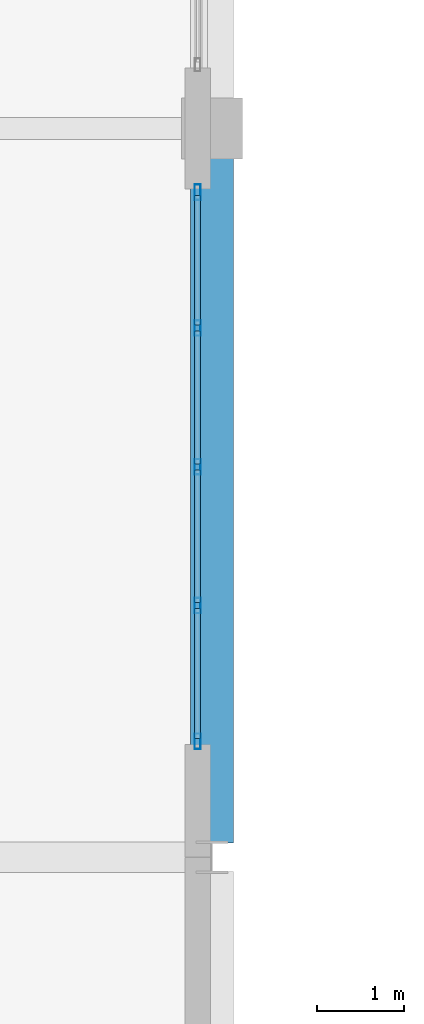
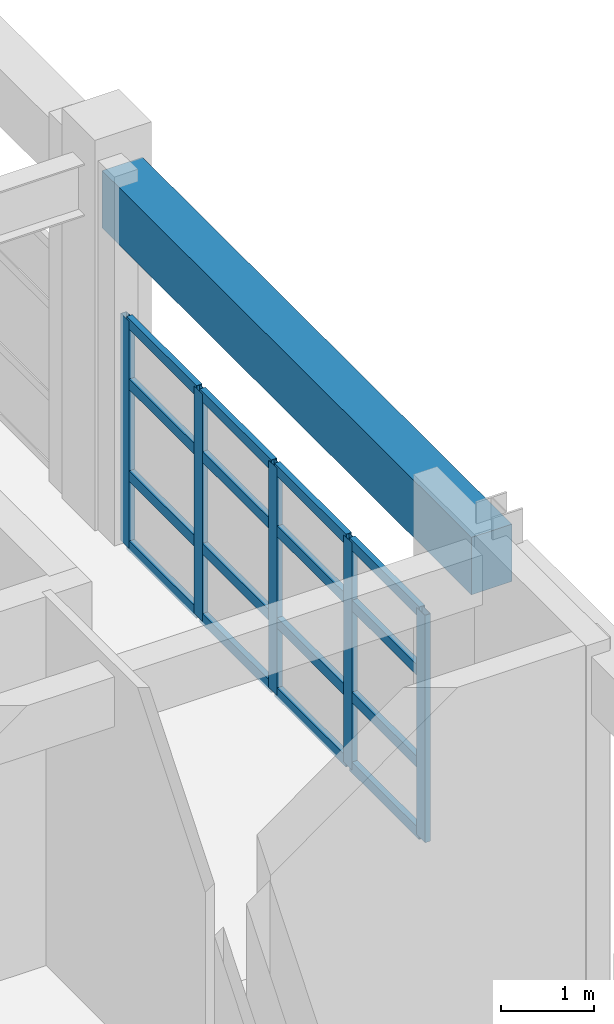
# One storey, part 19 of 103: 21 members, 1 beam, 1 element without a shape of its own.
"""IFC4 building model written with IfcOpenShell, lengths in metres."""

import ifcopenshell
import ifcopenshell.guid

model = None  # the IFC model being written
_history = None  # IfcOwnerHistory: only IFC2X3 demands one
_inside = {}  # id of a spatial element -> (the spatial element, [elements in it])
_under = {}  # id of a project, library or spatial element -> (it, [spatial elements below it])
_declared = {}  # id of a project -> (the project, [libraries it declares])
_typed = {}  # id of a type object -> (the type object, [elements of that type])
_made_of = {}  # id of a material, layer set ... -> (it, [elements and type objects made of it])


def new_model(schema):
    """Start an empty IFC model of exactly this schema.

    Asked for "IFC4X3", IfcOpenShell would pick the latest addendum, in which some entities
    have other attributes; the version numbers below select the first issue.
    IFC2X3 requires an IfcOwnerHistory on every rooted entity: one is made here for all.
    """
    global model, _history
    if schema == "IFC4X3":
        model = ifcopenshell.file(schema_version=(4, 3, 0, 0))
    else:
        model = ifcopenshell.file(schema=schema)
    _inside.clear()
    _under.clear()
    _declared.clear()
    _typed.clear()
    _made_of.clear()
    _history = None
    if model.schema == "IFC2X3":
        org = make("IfcOrganization", Name="unknown")
        user = make(
            "IfcPersonAndOrganization",
            ThePerson=make("IfcPerson", FamilyName="unknown"),
            TheOrganization=org,
        )
        app = make(
            "IfcApplication",
            ApplicationDeveloper=org,
            Version="unknown",
            ApplicationFullName="unknown",
            ApplicationIdentifier="unknown",
        )
        _history = make(
            "IfcOwnerHistory",
            OwningUser=user,
            OwningApplication=app,
            ChangeAction="ADDED",
            CreationDate=0,
        )
    return model


def make(cls, **values):
    """One entity of the class cls with the attributes given. An attribute that is None is left unset."""
    return model.create_entity(
        cls, **{name: value for name, value in values.items() if value is not None}
    )


def rooted(cls, **values):
    """An entity with a GlobalId (a new one), such as an element, a storey or a relation."""
    return make(cls, GlobalId=ifcopenshell.guid.new(), OwnerHistory=_history, **values)


def si_unit(unit_type, name, prefix=None):
    """IfcSIUnit, for example si_unit("LENGTHUNIT", "METRE", prefix="MILLI")."""
    return make("IfcSIUnit", UnitType=unit_type, Prefix=prefix, Name=name)


def assignment(units):
    """IfcUnitAssignment: the units of a project."""
    return None if units is None else make("IfcUnitAssignment", Units=units)


def point(xyz):
    """IfcCartesianPoint."""
    return None if xyz is None else make("IfcCartesianPoint", Coordinates=xyz)


def direction(xyz):
    """IfcDirection."""
    return None if xyz is None else make("IfcDirection", DirectionRatios=xyz)


def frame(location, z_axis=None, x_axis=None):
    """IfcAxis2Placement3D, a coordinate frame: its origin and axes. An axis left out is left unset."""
    return make(
        "IfcAxis2Placement3D",
        Location=point(location),
        Axis=direction(z_axis),
        RefDirection=direction(x_axis),
    )


def frame_2d(location, x_axis=None):
    """IfcAxis2Placement2D, a coordinate frame in the plane: its origin and x axis."""
    return make(
        "IfcAxis2Placement2D", Location=point(location), RefDirection=direction(x_axis)
    )


def origin():
    """The frame at (0, 0, 0) with its axes left unset."""
    return frame((0.0, 0.0, 0.0))


def origin_2d():
    """The frame at (0, 0) in the plane with its x axis left unset."""
    return frame_2d((0.0, 0.0))


def place(relative_to, where):
    """IfcLocalPlacement: puts the frame where relative to a parent placement (None: the world)."""
    return make(
        "IfcLocalPlacement", PlacementRelTo=relative_to, RelativePlacement=where
    )


def context(
    kind, dimensions, precision=None, world=None, true_north=None, identifier=None
):
    """IfcGeometricRepresentationContext, for example the 3D "Model" context."""
    return make(
        "IfcGeometricRepresentationContext",
        ContextIdentifier=identifier,
        ContextType=kind,
        CoordinateSpaceDimension=dimensions,
        Precision=precision,
        WorldCoordinateSystem=world,
        TrueNorth=true_north,
    )


def subcontext(parent, identifier, kind, view, scale=None):
    """IfcGeometricRepresentationSubContext, for example "Body" below "Model"."""
    return make(
        "IfcGeometricRepresentationSubContext",
        ContextIdentifier=identifier,
        ContextType=kind,
        ParentContext=parent,
        TargetScale=scale,
        TargetView=view,
    )


def project(units=None, contexts=None):
    """IfcProject with its units and contexts."""
    return rooted(
        "IfcProject",
        Name="project",
        RepresentationContexts=contexts,
        UnitsInContext=assignment(units),
    )


def spatial(cls, under=None, at=None, **own):
    """A site, building, storey or space (cls), placed at a placement, below another one or the project."""
    s = rooted(cls, ObjectPlacement=at, **own)
    if under is not None:
        _under.setdefault(under.id(), (under, []))[1].append(s)
    return s


def profile(cls, at=None, kind="AREA", **sizes):
    """A parametric profile (cls). Its sizes go by their IFC names, for example OverallWidth=200.0."""
    return make(cls, ProfileType=kind, Position=at, **sizes)


def rectangle(**sizes):
    """IfcRectangleProfileDef."""
    return profile("IfcRectangleProfileDef", **sizes)


def hollow_rectangle(**sizes):
    """IfcRectangleHollowProfileDef."""
    return profile("IfcRectangleHollowProfileDef", **sizes)


def extrude(swept, where, along, depth):
    """IfcExtrudedAreaSolid: the profile swept, set in the frame where, extruded along a direction by depth."""
    return make(
        "IfcExtrudedAreaSolid",
        SweptArea=swept,
        Position=where,
        ExtrudedDirection=direction(along),
        Depth=depth,
    )


def shape(context_of_items, identifier, shape_type, items):
    """IfcShapeRepresentation: the items that make up one representation, for example the "Body"."""
    return make(
        "IfcShapeRepresentation",
        ContextOfItems=context_of_items,
        RepresentationIdentifier=identifier,
        RepresentationType=shape_type,
        Items=items,
    )


def material(Name=None, Category=None):
    """IfcMaterial."""
    return make("IfcMaterial", Name=Name, Category=Category)


def layer(
    of_material, thickness, ventilated=None, Name=None, Category=None, Priority=None
):
    """IfcMaterialLayer: one layer of a wall or slab, of a material (None: an air gap)."""
    return make(
        "IfcMaterialLayer",
        Material=of_material,
        LayerThickness=thickness,
        IsVentilated=ventilated,
        Name=Name,
        Category=Category,
        Priority=Priority,
    )


def layer_set(layers, Name=None):
    """IfcMaterialLayerSet."""
    return make("IfcMaterialLayerSet", MaterialLayers=layers, LayerSetName=Name)


def material_profile(
    of_material, cross_section, Name=None, Category=None, Priority=None
):
    """IfcMaterialProfile: a cross section and its material."""
    return make(
        "IfcMaterialProfile",
        Name=Name,
        Material=of_material,
        Profile=cross_section,
        Priority=Priority,
        Category=Category,
    )


def profile_set(profiles, Name=None, composite=None):
    """IfcMaterialProfileSet."""
    return make(
        "IfcMaterialProfileSet",
        Name=Name,
        MaterialProfiles=profiles,
        CompositeProfile=composite,
    )


def made_of(thing, what):
    """Note that an element or type object is made of a material, layer set ...; save() writes the relation."""
    if what is not None:
        _made_of.setdefault(what.id(), (what, []))[1].append(thing)
    return thing


def type_object(cls, material=None, **own):
    """A type object (cls), such as IfcWallType, which elements share."""
    return made_of(rooted(cls, **own), material)


def element(
    cls,
    number,
    at=None,
    inside=None,
    cuts=None,
    type_object=None,
    material=None,
    context=None,
    identifier="Body",
    shape_type=None,
    held_by="IfcProductDefinitionShape",
    body=None,
    shapes=None,
    **own,
):
    """One element of the class cls, such as IfcWall. Its Tag is "e" and its number.

    at: its placement. inside: the storey or other place that contains it. cuts: it is an
    opening in that element (IfcRelVoidsElement). A single representation is given by context,
    identifier, shape_type and body (its items); several are given by shapes. held_by: the class
    of the entity that holds the representations. save() writes the other relations.
    """
    e = rooted(cls, Tag="e%d" % number, ObjectPlacement=at, **own)
    if body is not None:
        shapes = [shape(context, identifier, shape_type, body)]
    if shapes is not None:
        e.Representation = make(held_by, Representations=shapes)
    if inside is not None:
        _inside.setdefault(inside.id(), (inside, []))[1].append(e)
    if cuts is not None:
        rooted(
            "IfcRelVoidsElement", RelatingBuildingElement=cuts, RelatedOpeningElement=e
        )
    if type_object is not None:
        _typed.setdefault(type_object.id(), (type_object, []))[1].append(e)
    return made_of(e, material)


def aggregate(whole, parts):
    """IfcRelAggregates: a whole, such as a stair, and the parts it consists of."""
    return rooted("IfcRelAggregates", RelatingObject=whole, RelatedObjects=parts)


def save(model, path):
    """Write the relations noted so far, then the file.

    IfcRelAggregates (storeys below a building ...), IfcRelContainedInSpatialStructure (elements
    in a storey), IfcRelDefinesByType, IfcRelAssociatesMaterial and IfcRelDeclares: one each for
    every whole, place, type object, material and project.
    """
    for whole, parts in _under.values():
        aggregate(whole, parts)
    for where, things in _inside.values():
        rooted(
            "IfcRelContainedInSpatialStructure",
            RelatedElements=things,
            RelatingStructure=where,
        )
    for kind, things in _typed.values():
        rooted("IfcRelDefinesByType", RelatedObjects=things, RelatingType=kind)
    for what, things in _made_of.values():
        rooted("IfcRelAssociatesMaterial", RelatedObjects=things, RelatingMaterial=what)
    for by, libraries in _declared.values():
        rooted("IfcRelDeclares", RelatingContext=by, RelatedDefinitions=libraries)
    model.write(path)


model = new_model("IFC4")

# Units and contexts
model_context = context("Model", 3, precision=1e-05, world=origin(), true_north=direction((0.0, 1.0)))
body_context = subcontext(model_context, "Body", "Model", "MODEL_VIEW")
ifc_project = project(units=[si_unit("LENGTHUNIT", "METRE"), si_unit("AREAUNIT", "SQUARE_METRE"), si_unit("VOLUMEUNIT", "CUBIC_METRE"), si_unit("PLANEANGLEUNIT", "RADIAN"), si_unit("MASSUNIT", "GRAM", prefix="KILO")], contexts=[model_context])

# Site, building, storey
site_placement = place(None, origin())
site = spatial("IfcSite", under=ifc_project, at=site_placement, CompositionType="ELEMENT")
building_placement = place(site_placement, origin())
building = spatial("IfcBuilding", under=site, at=building_placement, Name="Quendrovan Civic Courthouse", CompositionType="ELEMENT")
storey_placement = place(building_placement, frame((0.0, 0.0, 15.300048828125)))
storey = spatial("IfcBuildingStorey", under=building, at=storey_placement, Name="L04", CompositionType="ELEMENT", Elevation=15.300048828125)

# Beam
ifc_material_1 = material(Name="Concrete C40/50", Category="concrete")
ifc_material_profile_1 = material_profile(ifc_material_1, rectangle(XDim=0.5, YDim=0.75, at=origin_2d()), Name="RC-BM-500x750")
ifc_profile_set_1 = profile_set([ifc_material_profile_1], Name="Concrete C40/50")
beam_type = type_object("IfcBeamType", Name="BM-RC750", PredefinedType="SPANDREL", material=ifc_profile_set_1)
beam_placement = place(storey_placement, frame((16.800048828125, 56.56591796875, 4.284912109375), z_axis=(0.0, 1.0, 0.0), x_axis=(-1.0, 0.0, 0.0)))
element("IfcBeam", 1, at=beam_placement, inside=storey, type_object=beam_type, Name="L04 Girder Y0958", PredefinedType="SPANDREL", context=body_context, shape_type="SweptSolid", body=[
    extrude(rectangle(XDim=0.5, YDim=0.75, at=origin_2d()), origin(), (0.0, 0.0, 1.0), 7.904052734375),
])

# Curtain wall, members
ifc_material_2 = material(Name="Bronze anodised aluminium and low-E glass", Category="aluminium")
ifc_layer = layer(ifc_material_2, 0.179931640625, Name="Bronze anodised aluminium and low-E glass")
ifc_layer_set = layer_set([ifc_layer], Name="Bronze anodised aluminium and low-E glass")
curtain_wall_type = type_object("IfcCurtainWallType", Name="CW-U64x30", PredefinedType="USERDEFINED", material=ifc_layer_set)
curtain_wall_placement = place(storey_placement, origin())
curtain_wall = element("IfcCurtainWall", 2, at=curtain_wall_placement, inside=storey, type_object=curtain_wall_type, Name="L04 Unitised Hurricane Curtain Wall CW-150", ObjectType="UNITISED CURTAIN WALL", PredefinedType="USERDEFINED")
ifc_material_3 = material(Name="Bronze anodised aluminium", Category="aluminium")
ifc_material_profile_2 = material_profile(ifc_material_3, hollow_rectangle(XDim=0.070068359375, YDim=0.179931640625, WallThickness=0.00390625, at=origin_2d()), Name="CW-MULL-70x180")
ifc_profile_set_2 = profile_set([ifc_material_profile_2], Name="Bronze anodised aluminium")
member_type_1 = type_object("IfcMemberType", Name="CW-MULL-A", PredefinedType="MULLION", material=ifc_profile_set_2)
member_1_placement = place(storey_placement, frame((16.635009765625, 64.06494140625, 0.0), z_axis=(0.0, 0.0, 1.0), x_axis=(1.0, 0.0, 0.0)))
member_1 = element("IfcMember", 3, at=member_1_placement, type_object=member_type_1, Name="CW-150 mullion 1", PredefinedType="MULLION", context=body_context, shape_type="SweptSolid", body=[
    extrude(hollow_rectangle(XDim=0.070068359375, YDim=0.179931640625, WallThickness=0.00390625, at=origin_2d()), origin(), (0.0, 0.0, 1.0), 2.969970703125),
])
member_2_placement = place(storey_placement, frame((16.635009765625, 62.5, 0.0), z_axis=(0.0, 0.0, 1.0), x_axis=(1.0, 0.0, 0.0)))
member_2 = element("IfcMember", 4, at=member_2_placement, type_object=member_type_1, Name="CW-150 mullion 2", PredefinedType="MULLION", context=body_context, shape_type="SweptSolid", body=[
    extrude(hollow_rectangle(XDim=0.070068359375, YDim=0.179931640625, WallThickness=0.00390625, at=origin_2d()), origin(), (0.0, 0.0, 1.0), 2.969970703125),
])
member_3_placement = place(storey_placement, frame((16.635009765625, 60.89990234375, 0.0), z_axis=(0.0, 0.0, 1.0), x_axis=(1.0, 0.0, 0.0)))
member_3 = element("IfcMember", 5, at=member_3_placement, type_object=member_type_1, Name="CW-150 mullion 3", PredefinedType="MULLION", context=body_context, shape_type="SweptSolid", body=[
    extrude(hollow_rectangle(XDim=0.070068359375, YDim=0.179931640625, WallThickness=0.00390625, at=origin_2d()), origin(), (0.0, 0.0, 1.0), 2.969970703125),
])
member_4_placement = place(storey_placement, frame((16.635009765625, 59.300048828125, 0.0), z_axis=(0.0, 0.0, 1.0), x_axis=(1.0, 0.0, 0.0)))
member_4 = element("IfcMember", 6, at=member_4_placement, type_object=member_type_1, Name="CW-150 mullion 4", PredefinedType="MULLION", context=body_context, shape_type="SweptSolid", body=[
    extrude(hollow_rectangle(XDim=0.070068359375, YDim=0.179931640625, WallThickness=0.00390625, at=origin_2d()), origin(), (0.0, 0.0, 1.0), 2.969970703125),
])
member_5_placement = place(storey_placement, frame((16.635009765625, 57.735107421875, 0.0), z_axis=(0.0, 0.0, 1.0), x_axis=(1.0, 0.0, 0.0)))
member_5 = element("IfcMember", 7, at=member_5_placement, type_object=member_type_1, Name="CW-150 mullion 5", PredefinedType="MULLION", context=body_context, shape_type="SweptSolid", body=[
    extrude(hollow_rectangle(XDim=0.070068359375, YDim=0.179931640625, WallThickness=0.00390625, at=origin_2d()), origin(), (0.0, 0.0, 1.0), 2.969970703125),
])
ifc_material_profile_3 = material_profile(ifc_material_3, hollow_rectangle(XDim=0.070068359375, YDim=0.139892578125, WallThickness=0.00390625, at=origin_2d()), Name="CW-TRAN-70x140")
ifc_profile_set_3 = profile_set([ifc_material_profile_3], Name="Bronze anodised aluminium")
member_type_2 = type_object("IfcMemberType", Name="CW-TRAN-A", PredefinedType="USERDEFINED", material=ifc_profile_set_3)
member_6_placement = place(storey_placement, frame((16.635009765625, 64.030029296875, 0.034912109375), z_axis=(0.0, -1.0, 0.0), x_axis=(1.0, 0.0, 0.0)))
member_6 = element("IfcMember", 8, at=member_6_placement, type_object=member_type_2, Name="CW-150 transom 1.1", ObjectType="TRANSOM", PredefinedType="USERDEFINED", context=body_context, shape_type="SweptSolid", body=[
    extrude(hollow_rectangle(XDim=0.070068359375, YDim=0.139892578125, WallThickness=0.00390625, at=origin_2d()), origin(), (0.0, 0.0, 1.0), 1.4951171875),
])
member_7_placement = place(storey_placement, frame((16.635009765625, 64.030029296875, 0.949951171875), z_axis=(0.0, -1.0, 0.0), x_axis=(1.0, 0.0, 0.0)))
member_7 = element("IfcMember", 9, at=member_7_placement, type_object=member_type_2, Name="CW-150 transom 1.2", ObjectType="TRANSOM", PredefinedType="USERDEFINED", context=body_context, shape_type="SweptSolid", body=[
    extrude(hollow_rectangle(XDim=0.070068359375, YDim=0.139892578125, WallThickness=0.00390625, at=origin_2d()), origin(), (0.0, 0.0, 1.0), 1.4951171875),
])
member_8_placement = place(storey_placement, frame((16.635009765625, 64.030029296875, 2.14990234375), z_axis=(0.0, -1.0, 0.0), x_axis=(1.0, 0.0, 0.0)))
member_8 = element("IfcMember", 10, at=member_8_placement, type_object=member_type_2, Name="CW-150 transom 1.3", ObjectType="TRANSOM", PredefinedType="USERDEFINED", context=body_context, shape_type="SweptSolid", body=[
    extrude(hollow_rectangle(XDim=0.070068359375, YDim=0.139892578125, WallThickness=0.00390625, at=origin_2d()), origin(), (0.0, 0.0, 1.0), 1.4951171875),
])
member_9_placement = place(storey_placement, frame((16.635009765625, 64.030029296875, 2.93505859375), z_axis=(0.0, -1.0, 0.0), x_axis=(1.0, 0.0, 0.0)))
member_9 = element("IfcMember", 11, at=member_9_placement, type_object=member_type_2, Name="CW-150 transom 1.4", ObjectType="TRANSOM", PredefinedType="USERDEFINED", context=body_context, shape_type="SweptSolid", body=[
    extrude(hollow_rectangle(XDim=0.070068359375, YDim=0.139892578125, WallThickness=0.00390625, at=origin_2d()), origin(), (0.0, 0.0, 1.0), 1.4951171875),
])
member_10_placement = place(storey_placement, frame((16.635009765625, 62.465087890625, 0.034912109375), z_axis=(0.0, -1.0, 0.0), x_axis=(1.0, 0.0, 0.0)))
member_10 = element("IfcMember", 12, at=member_10_placement, type_object=member_type_2, Name="CW-150 transom 2.1", ObjectType="TRANSOM", PredefinedType="USERDEFINED", context=body_context, shape_type="SweptSolid", body=[
    extrude(hollow_rectangle(XDim=0.070068359375, YDim=0.139892578125, WallThickness=0.00390625, at=origin_2d()), origin(), (0.0, 0.0, 1.0), 1.530029296875),
])
member_11_placement = place(storey_placement, frame((16.635009765625, 62.465087890625, 0.949951171875), z_axis=(0.0, -1.0, 0.0), x_axis=(1.0, 0.0, 0.0)))
member_11 = element("IfcMember", 13, at=member_11_placement, type_object=member_type_2, Name="CW-150 transom 2.2", ObjectType="TRANSOM", PredefinedType="USERDEFINED", context=body_context, shape_type="SweptSolid", body=[
    extrude(hollow_rectangle(XDim=0.070068359375, YDim=0.139892578125, WallThickness=0.00390625, at=origin_2d()), origin(), (0.0, 0.0, 1.0), 1.530029296875),
])
member_12_placement = place(storey_placement, frame((16.635009765625, 62.465087890625, 2.14990234375), z_axis=(0.0, -1.0, 0.0), x_axis=(1.0, 0.0, 0.0)))
member_12 = element("IfcMember", 14, at=member_12_placement, type_object=member_type_2, Name="CW-150 transom 2.3", ObjectType="TRANSOM", PredefinedType="USERDEFINED", context=body_context, shape_type="SweptSolid", body=[
    extrude(hollow_rectangle(XDim=0.070068359375, YDim=0.139892578125, WallThickness=0.00390625, at=origin_2d()), origin(), (0.0, 0.0, 1.0), 1.530029296875),
])
member_13_placement = place(storey_placement, frame((16.635009765625, 62.465087890625, 2.93505859375), z_axis=(0.0, -1.0, 0.0), x_axis=(1.0, 0.0, 0.0)))
member_13 = element("IfcMember", 15, at=member_13_placement, type_object=member_type_2, Name="CW-150 transom 2.4", ObjectType="TRANSOM", PredefinedType="USERDEFINED", context=body_context, shape_type="SweptSolid", body=[
    extrude(hollow_rectangle(XDim=0.070068359375, YDim=0.139892578125, WallThickness=0.00390625, at=origin_2d()), origin(), (0.0, 0.0, 1.0), 1.530029296875),
])
member_14_placement = place(storey_placement, frame((16.635009765625, 60.864990234375, 0.034912109375), z_axis=(0.0, -1.0, 0.0), x_axis=(1.0, 0.0, 0.0)))
member_14 = element("IfcMember", 16, at=member_14_placement, type_object=member_type_2, Name="CW-150 transom 3.1", ObjectType="TRANSOM", PredefinedType="USERDEFINED", context=body_context, shape_type="SweptSolid", body=[
    extrude(hollow_rectangle(XDim=0.070068359375, YDim=0.139892578125, WallThickness=0.00390625, at=origin_2d()), origin(), (0.0, 0.0, 1.0), 1.530029296875),
])
member_15_placement = place(storey_placement, frame((16.635009765625, 60.864990234375, 0.949951171875), z_axis=(0.0, -1.0, 0.0), x_axis=(1.0, 0.0, 0.0)))
member_15 = element("IfcMember", 17, at=member_15_placement, type_object=member_type_2, Name="CW-150 transom 3.2", ObjectType="TRANSOM", PredefinedType="USERDEFINED", context=body_context, shape_type="SweptSolid", body=[
    extrude(hollow_rectangle(XDim=0.070068359375, YDim=0.139892578125, WallThickness=0.00390625, at=origin_2d()), origin(), (0.0, 0.0, 1.0), 1.530029296875),
])
member_16_placement = place(storey_placement, frame((16.635009765625, 60.864990234375, 2.14990234375), z_axis=(0.0, -1.0, 0.0), x_axis=(1.0, 0.0, 0.0)))
member_16 = element("IfcMember", 18, at=member_16_placement, type_object=member_type_2, Name="CW-150 transom 3.3", ObjectType="TRANSOM", PredefinedType="USERDEFINED", context=body_context, shape_type="SweptSolid", body=[
    extrude(hollow_rectangle(XDim=0.070068359375, YDim=0.139892578125, WallThickness=0.00390625, at=origin_2d()), origin(), (0.0, 0.0, 1.0), 1.530029296875),
])
member_17_placement = place(storey_placement, frame((16.635009765625, 60.864990234375, 2.93505859375), z_axis=(0.0, -1.0, 0.0), x_axis=(1.0, 0.0, 0.0)))
member_17 = element("IfcMember", 19, at=member_17_placement, type_object=member_type_2, Name="CW-150 transom 3.4", ObjectType="TRANSOM", PredefinedType="USERDEFINED", context=body_context, shape_type="SweptSolid", body=[
    extrude(hollow_rectangle(XDim=0.070068359375, YDim=0.139892578125, WallThickness=0.00390625, at=origin_2d()), origin(), (0.0, 0.0, 1.0), 1.530029296875),
])
member_18_placement = place(storey_placement, frame((16.635009765625, 59.264892578125, 0.034912109375), z_axis=(0.0, -1.0, 0.0), x_axis=(1.0, 0.0, 0.0)))
member_18 = element("IfcMember", 20, at=member_18_placement, type_object=member_type_2, Name="CW-150 transom 4.1", ObjectType="TRANSOM", PredefinedType="USERDEFINED", context=body_context, shape_type="SweptSolid", body=[
    extrude(hollow_rectangle(XDim=0.070068359375, YDim=0.139892578125, WallThickness=0.00390625, at=origin_2d()), origin(), (0.0, 0.0, 1.0), 1.494873046875),
])
member_19_placement = place(storey_placement, frame((16.635009765625, 59.264892578125, 0.949951171875), z_axis=(0.0, -1.0, 0.0), x_axis=(1.0, 0.0, 0.0)))
member_19 = element("IfcMember", 21, at=member_19_placement, type_object=member_type_2, Name="CW-150 transom 4.2", ObjectType="TRANSOM", PredefinedType="USERDEFINED", context=body_context, shape_type="SweptSolid", body=[
    extrude(hollow_rectangle(XDim=0.070068359375, YDim=0.139892578125, WallThickness=0.00390625, at=origin_2d()), origin(), (0.0, 0.0, 1.0), 1.494873046875),
])
member_20_placement = place(storey_placement, frame((16.635009765625, 59.264892578125, 2.14990234375), z_axis=(0.0, -1.0, 0.0), x_axis=(1.0, 0.0, 0.0)))
member_20 = element("IfcMember", 22, at=member_20_placement, type_object=member_type_2, Name="CW-150 transom 4.3", ObjectType="TRANSOM", PredefinedType="USERDEFINED", context=body_context, shape_type="SweptSolid", body=[
    extrude(hollow_rectangle(XDim=0.070068359375, YDim=0.139892578125, WallThickness=0.00390625, at=origin_2d()), origin(), (0.0, 0.0, 1.0), 1.494873046875),
])
member_21_placement = place(storey_placement, frame((16.635009765625, 59.264892578125, 2.93505859375), z_axis=(0.0, -1.0, 0.0), x_axis=(1.0, 0.0, 0.0)))
member_21 = element("IfcMember", 23, at=member_21_placement, type_object=member_type_2, Name="CW-150 transom 4.4", ObjectType="TRANSOM", PredefinedType="USERDEFINED", context=body_context, shape_type="SweptSolid", body=[
    extrude(hollow_rectangle(XDim=0.070068359375, YDim=0.139892578125, WallThickness=0.00390625, at=origin_2d()), origin(), (0.0, 0.0, 1.0), 1.494873046875),
])
aggregate(curtain_wall, [member_1, member_2, member_3, member_4, member_5, member_6, member_7, member_8, member_9, member_10, member_11, member_12, member_13, member_14, member_15, member_16, member_17, member_18, member_19, member_20, member_21])

save(model, "model.ifc")
